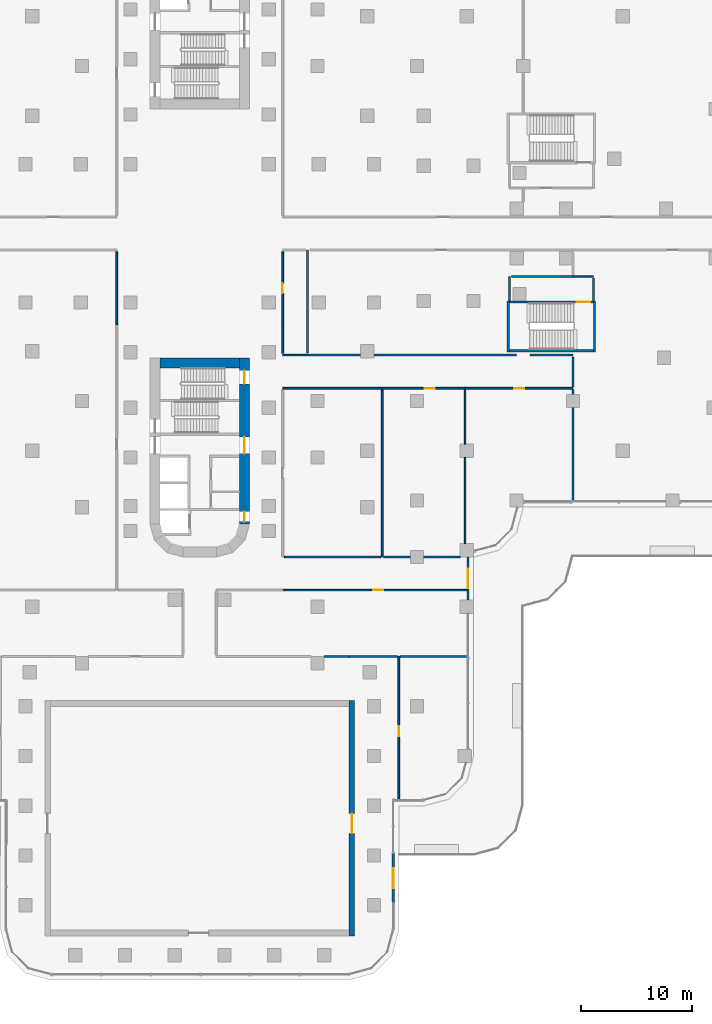
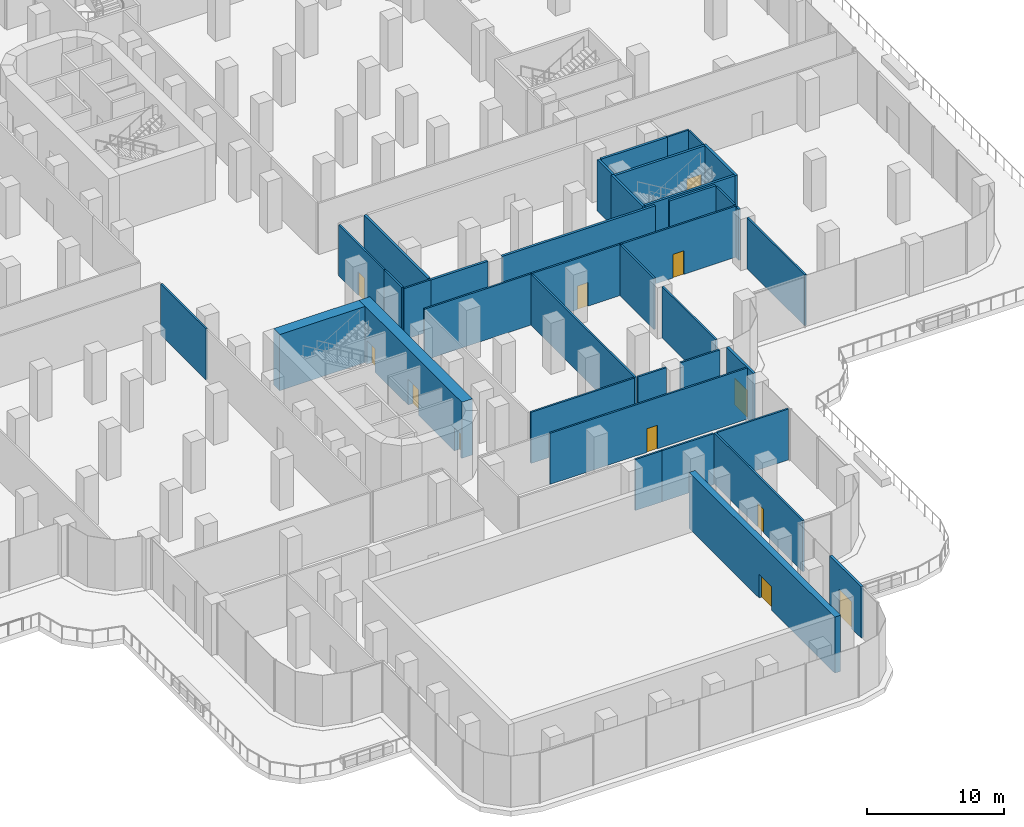
# One storey, part 18 of 30: 38 walls, 12 doors, 12 openings.
"""IFC4 building model written with IfcOpenShell, lengths in metres."""

from ifc_helpers import new_model, si_unit, direction, frame, frame_2d, origin, place, context, subcontext, project, spatial, rectangle, extrude, material, layer, layer_set, type_object, element, fill, save


model = new_model("IFC4")

# Units and contexts
model_context = context("Model", 3, precision=1e-05, world=origin(), true_north=direction((0.0, 1.0)))
body_context = subcontext(model_context, "Body", "Model", "MODEL_VIEW")
ifc_project = project(units=[si_unit("LENGTHUNIT", "METRE"), si_unit("AREAUNIT", "SQUARE_METRE"), si_unit("VOLUMEUNIT", "CUBIC_METRE"), si_unit("PLANEANGLEUNIT", "RADIAN"), si_unit("MASSUNIT", "GRAM", prefix="KILO")], contexts=[model_context])

# Site, building, storey
site_placement = place(None, origin())
site = spatial("IfcSite", under=ifc_project, at=site_placement, CompositionType="ELEMENT")
building_placement = place(site_placement, origin())
building = spatial("IfcBuilding", under=site, at=building_placement, Name="Zarbagh Exchange Tower", CompositionType="ELEMENT")
storey_placement = place(building_placement, frame((0.0, 0.0, 7.0)))
storey = spatial("IfcBuildingStorey", under=building, at=storey_placement, Name="L01", CompositionType="ELEMENT", Elevation=7.0)

# Walls
ifc_material_1 = material(Name="Plasterboard partition")
ifc_layer_1 = layer(ifc_material_1, 0.14990234375)
ifc_layer_set_1 = layer_set([ifc_layer_1], Name="Board partition 150")
wall_type_1 = type_object("IfcWallType", Name="Board partition 150", PredefinedType="PARTITIONING", material=ifc_layer_set_1)
wall_1_placement = place(storey_placement, frame((33.75, -3.89990234375, 0.0), z_axis=(0.0, 0.0, 1.0), x_axis=(1.0, 0.0, 0.0)))
element("IfcWall", 1, at=wall_1_placement, inside=storey, type_object=wall_type_1, Name="WL-L01-W016", PredefinedType="PARTITIONING", context=body_context, shape_type="SweptSolid", body=[
    extrude(rectangle(XDim=1.85009765625, YDim=0.14990234375, at=frame_2d((0.925048828125, 0.0))), origin(), (0.0, 0.0, 1.0), 4.550048828125),
])
wall_2_placement = place(storey_placement, frame((35.60009765625, -4.050048828125, 0.0), z_axis=(0.0, 0.0, 1.0), x_axis=(0.0, -1.0, 0.0)))
element("IfcWall", 2, at=wall_2_placement, inside=storey, type_object=wall_type_1, Name="WL-L01-W017", PredefinedType="PARTITIONING", context=body_context, shape_type="SweptSolid", body=[
    extrude(rectangle(XDim=2.050048828125, YDim=0.14990234375, at=frame_2d((1.02490234375, 0.0))), origin(), (0.0, 0.0, 1.0), 4.550048828125),
])

# Wall, opening, door
wall_3_placement = place(storey_placement, frame((18.0, -38.25, 0.0), z_axis=(0.0, 0.0, 1.0), x_axis=(0.0, -1.0, 0.0)))
wall_3 = element("IfcWall", 3, at=wall_3_placement, inside=storey, type_object=wall_type_1, Name="WL-L01-W023", PredefinedType="PARTITIONING", context=body_context, shape_type="SweptSolid", body=[
    extrude(rectangle(XDim=12.89990234375, YDim=0.14990234375, at=frame_2d((6.449951171875, 0.0))), origin(), (0.0, 0.0, 1.0), 4.550048828125),
])
opening_1_placement = place(wall_3_placement, frame((6.300048828125, 0.0, 0.0)))
opening_1 = element("IfcOpeningElement", 4, at=opening_1_placement, cuts=wall_3, Name="Opening D34", PredefinedType="OPENING", context=body_context, shape_type="SweptSolid", body=[
    extrude(rectangle(XDim=0.89990234375, YDim=2.10009765625, at=frame_2d((0.449951171875, 1.050048828125))), frame((0.0, 0.0849609375, 0.0), z_axis=(0.0, -1.0, 0.0), x_axis=(1.0, 0.0, 0.0)), (0.0, 0.0, 1.0), 0.169921875),
])
ifc_material_2 = material(Name="Timber door leaf", Category="wood")
door_type_1 = type_object("IfcDoorType", Name="Door single 900x2100", OperationType="SINGLE_SWING_LEFT", PredefinedType="DOOR", material=ifc_material_2)
door_1_placement = place(opening_1_placement, origin())
door_1 = element("IfcDoor", 5, at=door_1_placement, inside=storey, type_object=door_type_1, Name="D03", OperationType="SINGLE_SWING_LEFT", OverallHeight=2.10009765625, OverallWidth=0.89990234375, PredefinedType="DOOR", context=body_context, shape_type="SweptSolid", body=[
    extrude(rectangle(XDim=0.89990234375, YDim=2.10009765625, at=frame_2d((0.449951171875, 1.050048828125))), frame((0.0, 0.02490234375, 0.0), z_axis=(0.0, -1.0, 0.0), x_axis=(1.0, 0.0, 0.0)), (0.0, 0.0, 1.0), 0.050048828125),
])
fill(opening_1, door_1)

# Walls
wall_4_placement = place(storey_placement, frame((13.5, -38.25, 0.0), z_axis=(0.0, 0.0, 1.0), x_axis=(1.0, 0.0, 0.0)))
element("IfcWall", 6, at=wall_4_placement, inside=storey, type_object=wall_type_1, Name="WL-L01-W024", PredefinedType="PARTITIONING", context=body_context, shape_type="SweptSolid", body=[
    extrude(rectangle(XDim=4.35009765625, YDim=0.14990234375, at=frame_2d((2.175048828125, 0.0))), origin(), (0.0, 0.0, 1.0), 4.550048828125),
])
for number, where, z_axis, x_axis, name in (
    (7, (11.25, -38.25, 0.0), (0.0, 0.0, 1.0), (1.0, 0.0, 0.0), "WL-L01-W027"),
    (8, (7.5, -11.0, 0.0), (0.0, 0.0, 1.0), (1.0, 0.0, 0.0), "WL-L01-W033"),
):
    element("IfcWall", number, at=place(storey_placement, frame(where, z_axis=z_axis, x_axis=x_axis)), inside=storey, type_object=wall_type_1, Name=name, PredefinedType="PARTITIONING", context=body_context, shape_type="SweptSolid", body=[
        extrude(rectangle(XDim=2.25, YDim=0.14990234375, at=frame_2d((1.125, 0.0))), origin(), (0.0, 0.0, 1.0), 4.550048828125),
    ])
wall_5_placement = place(storey_placement, frame((16.5, -14.0, 0.0), z_axis=(0.0, 0.0, 1.0), x_axis=(-1.0, 0.0, 0.0)))
element("IfcWall", 9, at=wall_5_placement, inside=storey, type_object=wall_type_1, Name="WL-L01-W034", PredefinedType="PARTITIONING", context=body_context, shape_type="SweptSolid", body=[
    extrude(rectangle(XDim=9.0, YDim=0.14990234375, at=frame_2d((4.5, 0.0))), origin(), (0.0, 0.0, 1.0), 4.550048828125),
])

# Wall, opening, door
wall_6_placement = place(storey_placement, frame((24.0, -14.0, 0.0), z_axis=(0.0, 0.0, 1.0), x_axis=(-1.0, 0.0, 0.0)))
wall_6 = element("IfcWall", 10, at=wall_6_placement, inside=storey, type_object=wall_type_1, Name="WL-L01-W035", PredefinedType="PARTITIONING", context=body_context, shape_type="SweptSolid", body=[
    extrude(rectangle(XDim=7.5, YDim=0.14990234375, at=frame_2d((3.75, 0.0))), origin(), (0.0, 0.0, 1.0), 4.550048828125),
])
opening_2_placement = place(wall_6_placement, frame((2.75, 0.0, 0.0)))
opening_2 = element("IfcOpeningElement", 11, at=opening_2_placement, cuts=wall_6, Name="Opening D41", PredefinedType="OPENING", context=body_context, shape_type="SweptSolid", body=[
    extrude(rectangle(XDim=0.89990234375, YDim=2.10009765625, at=frame_2d((0.449951171875, 1.050048828125))), frame((0.0, 0.0849609375, 0.0), z_axis=(0.0, -1.0, 0.0), x_axis=(1.0, 0.0, 0.0)), (0.0, 0.0, 1.0), 0.169921875),
])
door_2_placement = place(opening_2_placement, origin())
door_2 = element("IfcDoor", 12, at=door_2_placement, inside=storey, type_object=door_type_1, Name="D05", OperationType="SINGLE_SWING_LEFT", OverallHeight=2.10009765625, OverallWidth=0.89990234375, PredefinedType="DOOR", context=body_context, shape_type="SweptSolid", body=[
    extrude(rectangle(XDim=0.89990234375, YDim=2.10009765625, at=frame_2d((0.449951171875, 1.050048828125))), frame((0.0, 0.02490234375, 0.0), z_axis=(0.0, -1.0, 0.0), x_axis=(1.0, 0.0, 0.0)), (0.0, 0.0, 1.0), 0.050048828125),
])
fill(opening_2, door_2)

wall_7_placement = place(storey_placement, frame((33.75, -14.0, 0.0), z_axis=(0.0, 0.0, 1.0), x_axis=(-1.0, 0.0, 0.0)))
wall_7 = element("IfcWall", 13, at=wall_7_placement, inside=storey, type_object=wall_type_1, Name="WL-L01-W036", PredefinedType="PARTITIONING", context=body_context, shape_type="SweptSolid", body=[
    extrude(rectangle(XDim=9.75, YDim=0.14990234375, at=frame_2d((4.875, 0.0))), origin(), (0.0, 0.0, 1.0), 4.550048828125),
])
opening_3_placement = place(wall_7_placement, frame((4.425048828125, 0.0, 0.0)))
opening_3 = element("IfcOpeningElement", 14, at=opening_3_placement, cuts=wall_7, Name="Opening D45", PredefinedType="OPENING", context=body_context, shape_type="SweptSolid", body=[
    extrude(rectangle(XDim=0.89990234375, YDim=2.10009765625, at=frame_2d((0.449951171875, 1.050048828125))), frame((0.0, 0.0849609375, 0.0), z_axis=(0.0, -1.0, 0.0), x_axis=(1.0, 0.0, 0.0)), (0.0, 0.0, 1.0), 0.169921875),
])
door_3_placement = place(opening_3_placement, origin())
door_3 = element("IfcDoor", 15, at=door_3_placement, inside=storey, type_object=door_type_1, Name="D06", OperationType="SINGLE_SWING_LEFT", OverallHeight=2.10009765625, OverallWidth=0.89990234375, PredefinedType="DOOR", context=body_context, shape_type="SweptSolid", body=[
    extrude(rectangle(XDim=0.89990234375, YDim=2.10009765625, at=frame_2d((0.449951171875, 1.050048828125))), frame((0.0, 0.02490234375, 0.0), z_axis=(0.0, -1.0, 0.0), x_axis=(1.0, 0.0, 0.0)), (0.0, 0.0, 1.0), 0.050048828125),
])
fill(opening_3, door_3)

# Walls
wall_8_placement = place(storey_placement, frame((33.75, -11.199951171875, 0.0), z_axis=(0.0, 0.0, 1.0), x_axis=(0.0, -1.0, 0.0)))
element("IfcWall", 16, at=wall_8_placement, inside=storey, type_object=wall_type_1, Name="WL-L01-W037", PredefinedType="PARTITIONING", context=body_context, shape_type="SweptSolid", body=[
    extrude(rectangle(XDim=2.650146484375, YDim=0.14990234375, at=frame_2d((1.3251953125, 0.0))), origin(), (0.0, 0.0, 1.0), 4.550048828125),
])
wall_9_placement = place(storey_placement, frame((7.5, -10.85009765625, 0.0), z_axis=(0.0, 0.0, 1.0), x_axis=(0.0, 1.0, 0.0)))
element("IfcWall", 17, at=wall_9_placement, inside=storey, type_object=wall_type_1, Name="WL-L01-W042", PredefinedType="PARTITIONING", context=body_context, shape_type="SweptSolid", body=[
    extrude(rectangle(XDim=2.60009765625, YDim=0.14990234375, at=frame_2d((1.300048828125, 0.0))), origin(), (0.0, 0.0, 1.0), 4.550048828125),
])

# Wall, opening, door
wall_10_placement = place(storey_placement, frame((7.5, -1.64990234375, 0.0), z_axis=(0.0, 0.0, 1.0), x_axis=(0.0, -1.0, 0.0)))
wall_10 = element("IfcWall", 18, at=wall_10_placement, inside=storey, type_object=wall_type_1, Name="WL-L01-W044", PredefinedType="PARTITIONING", context=body_context, shape_type="SweptSolid", body=[
    extrude(rectangle(XDim=6.60009765625, YDim=0.14990234375, at=frame_2d((3.300048828125, 0.0))), origin(), (0.0, 0.0, 1.0), 4.550048828125),
])
opening_4_placement = place(wall_10_placement, frame((2.85009765625, 0.0, 0.0)))
opening_4 = element("IfcOpeningElement", 19, at=opening_4_placement, cuts=wall_10, Name="Opening D49", PredefinedType="OPENING", context=body_context, shape_type="SweptSolid", body=[
    extrude(rectangle(XDim=0.89990234375, YDim=2.10009765625, at=frame_2d((0.449951171875, 1.050048828125))), frame((0.0, 0.0849609375, 0.0), z_axis=(0.0, -1.0, 0.0), x_axis=(1.0, 0.0, 0.0)), (0.0, 0.0, 1.0), 0.169921875),
])
door_4_placement = place(opening_4_placement, origin())
door_4 = element("IfcDoor", 20, at=door_4_placement, inside=storey, type_object=door_type_1, Name="D08", OperationType="SINGLE_SWING_LEFT", OverallHeight=2.10009765625, OverallWidth=0.89990234375, PredefinedType="DOOR", context=body_context, shape_type="SweptSolid", body=[
    extrude(rectangle(XDim=0.89990234375, YDim=2.10009765625, at=frame_2d((0.449951171875, 1.050048828125))), frame((0.0, 0.02490234375, 0.0), z_axis=(0.0, -1.0, 0.0), x_axis=(1.0, 0.0, 0.0)), (0.0, 0.0, 1.0), 0.050048828125),
])
fill(opening_4, door_4)

# Walls
wall_11_placement = place(storey_placement, frame((16.5, -14.14990234375, 0.0), z_axis=(0.0, 0.0, 1.0), x_axis=(0.0, -1.0, 0.0)))
element("IfcWall", 21, at=wall_11_placement, inside=storey, type_object=wall_type_1, Name="WL-L01-W045", PredefinedType="PARTITIONING", context=body_context, shape_type="SweptSolid", body=[
    extrude(rectangle(XDim=15.10009765625, YDim=0.14990234375, at=frame_2d((7.550048828125, 0.0))), origin(), (0.0, 0.0, 1.0), 4.550048828125),
])
wall_12_placement = place(storey_placement, frame((16.35009765625, -29.25, 0.0), z_axis=(0.0, 0.0, 1.0), x_axis=(-1.0, 0.0, 0.0)))
element("IfcWall", 22, at=wall_12_placement, inside=storey, type_object=wall_type_1, Name="WL-L01-W047", PredefinedType="PARTITIONING", context=body_context, shape_type="SweptSolid", body=[
    extrude(rectangle(XDim=8.7001953125, YDim=0.14990234375, at=frame_2d((4.35009765625, 0.0))), origin(), (0.0, 0.0, 1.0), 4.550048828125),
])
wall_13_placement = place(storey_placement, frame((24.0, -14.14990234375, 0.0), z_axis=(0.0, 0.0, 1.0), x_axis=(0.0, -1.0, 0.0)))
element("IfcWall", 23, at=wall_13_placement, inside=storey, type_object=wall_type_1, Name="WL-L01-W048", PredefinedType="PARTITIONING", context=body_context, shape_type="SweptSolid", body=[
    extrude(rectangle(XDim=4.900146484375, YDim=0.14990234375, at=frame_2d((2.4501953125, 0.0))), origin(), (0.0, 0.0, 1.0), 4.550048828125),
])
wall_14_placement = place(storey_placement, frame((24.0, -20.25, 0.0), z_axis=(0.0, 0.0, 1.0), x_axis=(0.0, -1.0, 0.0)))
element("IfcWall", 24, at=wall_14_placement, inside=storey, type_object=wall_type_1, Name="WL-L01-W049", PredefinedType="PARTITIONING", context=body_context, shape_type="SweptSolid", body=[
    extrude(rectangle(XDim=7.800048828125, YDim=0.14990234375, at=frame_2d((3.89990234375, 0.0))), origin(), (0.0, 0.0, 1.0), 4.550048828125),
])
wall_15_placement = place(storey_placement, frame((23.550048828125, -29.25, 0.0), z_axis=(0.0, 0.0, 1.0), x_axis=(-1.0, 0.0, 0.0)))
element("IfcWall", 25, at=wall_15_placement, inside=storey, type_object=wall_type_1, Name="WL-L01-W050", PredefinedType="PARTITIONING", context=body_context, shape_type="SweptSolid", body=[
    extrude(rectangle(XDim=3.300048828125, YDim=0.14990234375, at=frame_2d((1.64990234375, 0.0))), origin(), (0.0, 0.0, 1.0), 4.550048828125),
])
wall_16_placement = place(storey_placement, frame((19.050048828125, -29.25, 0.0), z_axis=(0.0, 0.0, 1.0), x_axis=(-1.0, 0.0, 0.0)))
element("IfcWall", 26, at=wall_16_placement, inside=storey, type_object=wall_type_1, Name="WL-L01-W051", PredefinedType="PARTITIONING", context=body_context, shape_type="SweptSolid", body=[
    extrude(rectangle(XDim=2.400146484375, YDim=0.14990234375, at=frame_2d((1.2001953125, 0.0))), origin(), (0.0, 0.0, 1.0), 4.550048828125),
])
wall_17_placement = place(storey_placement, frame((33.75, -14.14990234375, 0.0), z_axis=(0.0, 0.0, 1.0), x_axis=(0.0, -1.0, 0.0)))
element("IfcWall", 27, at=wall_17_placement, inside=storey, type_object=wall_type_1, Name="WL-L01-W052", PredefinedType="PARTITIONING", context=body_context, shape_type="SweptSolid", body=[
    extrude(rectangle(XDim=0.400146484375, YDim=0.14990234375, at=frame_2d((0.2001953125, 0.0))), origin(), (0.0, 0.0, 1.0), 4.550048828125),
])
wall_18_placement = place(storey_placement, frame((33.75, -15.75, 0.0), z_axis=(0.0, 0.0, 1.0), x_axis=(0.0, -1.0, 0.0)))
element("IfcWall", 28, at=wall_18_placement, inside=storey, type_object=wall_type_1, Name="WL-L01-W053", PredefinedType="PARTITIONING", context=body_context, shape_type="SweptSolid", body=[
    extrude(rectangle(XDim=8.39990234375, YDim=0.14990234375, at=frame_2d((4.199951171875, 0.0))), origin(), (0.0, 0.0, 1.0), 4.550048828125),
])
wall_19_placement = place(storey_placement, frame((18.14990234375, -38.25, 0.0), z_axis=(0.0, 0.0, 1.0), x_axis=(1.0, 0.0, 0.0)))
element("IfcWall", 29, at=wall_19_placement, inside=storey, type_object=wall_type_1, Name="WL-L01-W055", PredefinedType="PARTITIONING", context=body_context, shape_type="SweptSolid", body=[
    extrude(rectangle(XDim=6.0, YDim=0.14990234375, at=frame_2d((3.0, 0.0))), origin(), (0.0, 0.0, 1.0), 4.550048828125),
])

# Wall, opening, door
wall_20_placement = place(storey_placement, frame((24.14990234375, -32.25, 0.0), z_axis=(0.0, 0.0, 1.0), x_axis=(-1.0, 0.0, 0.0)))
wall_20 = element("IfcWall", 30, at=wall_20_placement, inside=storey, type_object=wall_type_1, Name="WL-L01-W096", PredefinedType="PARTITIONING", context=body_context, shape_type="SweptSolid", body=[
    extrude(rectangle(XDim=16.64990234375, YDim=0.14990234375, at=frame_2d((8.324951171875, 0.0))), origin(), (0.0, 0.0, 1.0), 4.550048828125),
])
opening_5_placement = place(wall_20_placement, frame((7.574951171875, 0.0, 0.0)))
opening_5 = element("IfcOpeningElement", 31, at=opening_5_placement, cuts=wall_20, Name="Opening D25", PredefinedType="OPENING", context=body_context, shape_type="SweptSolid", body=[
    extrude(rectangle(XDim=0.89990234375, YDim=2.10009765625, at=frame_2d((0.449951171875, 1.050048828125))), frame((0.0, 0.0849609375, 0.0), z_axis=(0.0, -1.0, 0.0), x_axis=(1.0, 0.0, 0.0)), (0.0, 0.0, 1.0), 0.169921875),
])
door_5_placement = place(opening_5_placement, origin())
door_5 = element("IfcDoor", 32, at=door_5_placement, inside=storey, type_object=door_type_1, Name="D25", OperationType="SINGLE_SWING_LEFT", OverallHeight=2.10009765625, OverallWidth=0.89990234375, PredefinedType="DOOR", context=body_context, shape_type="SweptSolid", body=[
    extrude(rectangle(XDim=0.89990234375, YDim=2.10009765625, at=frame_2d((0.449951171875, 1.050048828125))), frame((0.0, 0.02490234375, 0.0), z_axis=(0.0, -1.0, 0.0), x_axis=(1.0, 0.0, 0.0)), (0.0, 0.0, 1.0), 0.050048828125),
])
fill(opening_5, door_5)

# Walls
wall_21_placement = place(storey_placement, frame((-7.5, -1.64990234375, 0.0), z_axis=(0.0, 0.0, 1.0), x_axis=(0.0, -1.0, 0.0)))
element("IfcWall", 33, at=wall_21_placement, inside=storey, type_object=wall_type_1, Name="WL-L01-W099", PredefinedType="PARTITIONING", context=body_context, shape_type="SweptSolid", body=[
    extrude(rectangle(XDim=6.60009765625, YDim=0.14990234375, at=frame_2d((3.300048828125, 0.0))), origin(), (0.0, 0.0, 1.0), 4.550048828125),
])
ifc_material_3 = material(Name="Concrete block partition", Category="concrete")
ifc_layer_2 = layer(ifc_material_3, 0.199951171875)
ifc_layer_set_2 = layer_set([ifc_layer_2], Name="Fire-rated block partition 200 EI 60")
wall_type_2 = type_object("IfcWallType", Name="Fire-rated block partition 200 EI 60", PredefinedType="PARTITIONING", material=ifc_layer_set_2)
wall_22_placement = place(storey_placement, frame((28.0, -6.10009765625, 0.0), z_axis=(0.0, 0.0, 1.0), x_axis=(0.0, 1.0, 0.0)))
element("IfcWall", 34, at=wall_22_placement, inside=storey, type_object=wall_type_2, Name="WL-L01-W014", PredefinedType="PARTITIONING", context=body_context, shape_type="SweptSolid", body=[
    extrude(rectangle(XDim=2.2001953125, YDim=0.199951171875, at=frame_2d((1.10009765625, 0.0))), origin(), (0.0, 0.0, 1.0), 4.550048828125),
])
wall_23_placement = place(storey_placement, frame((28.199951171875, -3.89990234375, 0.0), z_axis=(0.0, 0.0, 1.0), x_axis=(1.0, 0.0, 0.0)))
element("IfcWall", 35, at=wall_23_placement, inside=storey, type_object=wall_type_2, Name="WL-L01-W015", PredefinedType="PARTITIONING", context=body_context, shape_type="SweptSolid", body=[
    extrude(rectangle(XDim=5.550048828125, YDim=0.199951171875, at=frame_2d((2.77490234375, 0.0))), origin(), (0.0, 0.0, 1.0), 4.550048828125),
])
wall_24_placement = place(storey_placement, frame((9.75, -11.0, 0.0), z_axis=(0.0, 0.0, 1.0), x_axis=(1.0, 0.0, 0.0)))
element("IfcWall", 36, at=wall_24_placement, inside=storey, type_object=wall_type_2, Name="WL-L01-W030", PredefinedType="PARTITIONING", context=body_context, shape_type="SweptSolid", body=[
    extrude(rectangle(XDim=4.800048828125, YDim=0.199951171875, at=frame_2d((2.39990234375, 0.0))), origin(), (0.0, 0.0, 1.0), 4.550048828125),
])
wall_25_placement = place(storey_placement, frame((15.75, -11.0, 0.0), z_axis=(0.0, 0.0, 1.0), x_axis=(1.0, 0.0, 0.0)))
element("IfcWall", 37, at=wall_25_placement, inside=storey, type_object=wall_type_2, Name="WL-L01-W031", PredefinedType="PARTITIONING", context=body_context, shape_type="SweptSolid", body=[
    extrude(rectangle(XDim=12.89990234375, YDim=0.199951171875, at=frame_2d((6.449951171875, 0.0))), origin(), (0.0, 0.0, 1.0), 4.550048828125),
])
wall_26_placement = place(storey_placement, frame((29.85009765625, -11.0, 0.0), z_axis=(0.0, 0.0, 1.0), x_axis=(1.0, 0.0, 0.0)))
element("IfcWall", 38, at=wall_26_placement, inside=storey, type_object=wall_type_2, Name="WL-L01-W032", PredefinedType="PARTITIONING", context=body_context, shape_type="SweptSolid", body=[
    extrude(rectangle(XDim=3.89990234375, YDim=0.199951171875, at=frame_2d((1.949951171875, 0.0))), origin(), (0.0, 0.0, 1.0), 4.550048828125),
])
wall_27_placement = place(storey_placement, frame((9.75, -10.800048828125, 0.0), z_axis=(0.0, 0.0, 1.0), x_axis=(0.0, 1.0, 0.0)))
element("IfcWall", 39, at=wall_27_placement, inside=storey, type_object=wall_type_2, Name="WL-L01-W038", PredefinedType="PARTITIONING", context=body_context, shape_type="SweptSolid", body=[
    extrude(rectangle(XDim=9.300048828125, YDim=0.199951171875, at=frame_2d((4.64990234375, 0.0))), origin(), (0.0, 0.0, 1.0), 4.550048828125),
])

# Wall, openings, doors
ifc_material_4 = material(Name="Concrete C60/75", Category="concrete")
ifc_layer_3 = layer(ifc_material_4, 0.89990234375)
ifc_layer_set_3 = layer_set([ifc_layer_3], Name="RC core wall 900 C60/75")
wall_type_3 = type_object("IfcWallType", Name="RC core wall 900 C60/75", PredefinedType="SHEAR", material=ifc_layer_set_3)
wall_28_placement = place(storey_placement, frame((4.050048828125, -11.25, 0.0), z_axis=(0.0, 0.0, 1.0), x_axis=(0.0, -1.0, 0.0)))
wall_28 = element("IfcWall", 40, at=wall_28_placement, inside=storey, type_object=wall_type_3, Name="CW1 core S E", PredefinedType="SHEAR", context=body_context, shape_type="SweptSolid", body=[
    extrude(rectangle(XDim=15.0, YDim=0.89990234375, at=frame_2d((7.5, 0.0))), origin(), (0.0, 0.0, 1.0), 5.0),
])
opening_6_placement = place(wall_28_placement, frame((7.14990234375, 0.0, 0.0)))
opening_6 = element("IfcOpeningElement", 41, at=opening_6_placement, cuts=wall_28, Name="Opening CD1-1500", PredefinedType="OPENING", context=body_context, shape_type="SweptSolid", body=[
    extrude(rectangle(XDim=1.5, YDim=2.300048828125, at=frame_2d((0.75, 1.14990234375))), frame((0.0, 0.4599609375, 0.0), z_axis=(0.0, -1.0, 0.0), x_axis=(1.0, 0.0, 0.0)), (0.0, 0.0, 1.0), 0.919921875),
])
opening_7_placement = place(wall_28_placement, frame((13.89990234375, 0.0, 0.0)))
opening_7 = element("IfcOpeningElement", 42, at=opening_7_placement, cuts=wall_28, Name="Opening CD2-900", PredefinedType="OPENING", context=body_context, shape_type="SweptSolid", body=[
    extrude(rectangle(XDim=0.89990234375, YDim=2.10009765625, at=frame_2d((0.449951171875, 1.050048828125))), frame((0.0, 0.4599609375, 0.0), z_axis=(0.0, -1.0, 0.0), x_axis=(1.0, 0.0, 0.0)), (0.0, 0.0, 1.0), 0.919921875),
])
opening_8_placement = place(wall_28_placement, frame((1.14990234375, 0.0, 0.0)))
opening_8 = element("IfcOpeningElement", 43, at=opening_8_placement, cuts=wall_28, Name="Opening SD1-1200", PredefinedType="OPENING", context=body_context, shape_type="SweptSolid", body=[
    extrude(rectangle(XDim=1.199951171875, YDim=2.10009765625, at=frame_2d((0.60009765625, 1.050048828125))), frame((0.0, 0.4599609375, 0.0), z_axis=(0.0, -1.0, 0.0), x_axis=(1.0, 0.0, 0.0)), (0.0, 0.0, 1.0), 0.919921875),
])
ifc_material_5 = material(Name="Steel", Category="steel")
door_type_2 = type_object("IfcDoorType", Name="Exit stair door 1200 x 2100", OperationType="NOTDEFINED", PredefinedType="DOOR", material=ifc_material_5)
door_6_placement = place(opening_8_placement, origin())
door_6 = element("IfcDoor", 44, at=door_6_placement, inside=storey, type_object=door_type_2, Name="South core stair door ST2", OperationType="SINGLE_SWING_RIGHT", OverallHeight=2.10009765625, OverallWidth=1.199951171875, PredefinedType="DOOR", context=body_context, shape_type="SweptSolid", body=[
    extrude(rectangle(XDim=1.199951171875, YDim=2.10009765625, at=frame_2d((0.60009765625, 1.050048828125))), frame((0.0, 0.02490234375, 0.0), z_axis=(0.0, -1.0, 0.0), x_axis=(1.0, 0.0, 0.0)), (0.0, 0.0, 1.0), 0.050048828125),
])
fill(opening_8, door_6)
door_type_3 = type_object("IfcDoorType", Name="Firefighting lobby door 900 x 2100", OperationType="NOTDEFINED", PredefinedType="DOOR", material=ifc_material_5)
door_7_placement = place(opening_7_placement, origin())
door_7 = element("IfcDoor", 45, at=door_7_placement, inside=storey, type_object=door_type_3, Name="South core firefighting lobby door FF-W", OperationType="SINGLE_SWING_LEFT", OverallHeight=2.10009765625, OverallWidth=0.89990234375, PredefinedType="DOOR", context=body_context, shape_type="SweptSolid", body=[
    extrude(rectangle(XDim=0.89990234375, YDim=2.10009765625, at=frame_2d((0.449951171875, 1.050048828125))), frame((0.0, 0.02490234375, 0.0), z_axis=(0.0, -1.0, 0.0), x_axis=(1.0, 0.0, 0.0)), (0.0, 0.0, 1.0), 0.050048828125),
])
fill(opening_7, door_7)
door_type_4 = type_object("IfcDoorType", Name="Lift lobby double door 1500 x 2300", OperationType="NOTDEFINED", PredefinedType="DOOR", material=ifc_material_5)
door_8_placement = place(opening_6_placement, origin())
door_8 = element("IfcDoor", 46, at=door_8_placement, inside=storey, type_object=door_type_4, Name="South core lift lobby door LOBBY-W", OperationType="DOUBLE_DOOR_SINGLE_SWING", OverallHeight=2.300048828125, OverallWidth=1.5, PredefinedType="DOOR", context=body_context, shape_type="SweptSolid", body=[
    extrude(rectangle(XDim=1.5, YDim=2.300048828125, at=frame_2d((0.75, 1.14990234375))), frame((0.0, 0.02490234375, 0.0), z_axis=(0.0, -1.0, 0.0), x_axis=(1.0, 0.0, 0.0)), (0.0, 0.0, 1.0), 0.050048828125),
])
fill(opening_6, door_8)

# Wall
wall_29_placement = place(storey_placement, frame((-3.60009765625, -11.699951171875, 0.0), z_axis=(0.0, 0.0, 1.0), x_axis=(1.0, 0.0, 0.0)))
element("IfcWall", 47, at=wall_29_placement, inside=storey, type_object=wall_type_3, Name="CW1 core S inner end", PredefinedType="SHEAR", context=body_context, shape_type="SweptSolid", body=[
    extrude(rectangle(XDim=7.2001953125, YDim=0.89990234375, at=frame_2d((3.60009765625, 0.0))), origin(), (0.0, 0.0, 1.0), 5.0),
])

# Wall, opening, door
ifc_material_6 = material(Name="Concrete C50/60", Category="concrete")
ifc_layer_4 = layer(ifc_material_6, 0.5)
ifc_layer_set_4 = layer_set([ifc_layer_4], Name="RC hall wall 500 C50/60")
wall_type_4 = type_object("IfcWallType", Name="RC hall wall 500 C50/60", PredefinedType="SOLIDWALL", material=ifc_layer_set_4)
wall_30_placement = place(storey_placement, frame((13.75, -63.5, 0.0), z_axis=(0.0, 0.0, 1.0), x_axis=(0.0, 1.0, 0.0)))
wall_30 = element("IfcWall", 48, at=wall_30_placement, inside=storey, type_object=wall_type_4, Name="CW11 hall", PredefinedType="SOLIDWALL", context=body_context, shape_type="SweptSolid", body=[
    extrude(rectangle(XDim=21.25, YDim=0.5, at=frame_2d((10.625, 0.0))), origin(), (0.0, 0.0, 1.0), 5.0),
])
opening_9_placement = place(wall_30_placement, frame((9.25, 0.0, 0.0)))
opening_9 = element("IfcOpeningElement", 49, at=opening_9_placement, cuts=wall_30, Name="Opening DH02", PredefinedType="OPENING", context=body_context, shape_type="SweptSolid", body=[
    extrude(rectangle(XDim=1.800048828125, YDim=2.10009765625, at=frame_2d((0.89990234375, 1.050048828125))), frame((0.0, 0.260009765625, 0.0), z_axis=(0.0, -1.0, 0.0), x_axis=(1.0, 0.0, 0.0)), (0.0, 0.0, 1.0), 0.52001953125),
])
ifc_material_7 = material(Name="Steel door set", Category="steel")
door_type_5 = type_object("IfcDoorType", Name="Door pair 1800x2100 EI 60", OperationType="DOUBLE_DOOR_DOUBLE_SWING", PredefinedType="DOOR", material=ifc_material_7)
door_9_placement = place(opening_9_placement, origin())
door_9 = element("IfcDoor", 50, at=door_9_placement, inside=storey, type_object=door_type_5, Name="DH02", OperationType="DOUBLE_DOOR_DOUBLE_SWING", OverallHeight=2.10009765625, OverallWidth=1.800048828125, PredefinedType="DOOR", context=body_context, shape_type="SweptSolid", body=[
    extrude(rectangle(XDim=1.800048828125, YDim=2.10009765625, at=frame_2d((0.89990234375, 1.050048828125))), frame((0.0, 0.02490234375, 0.0), z_axis=(0.0, -1.0, 0.0), x_axis=(1.0, 0.0, 0.0)), (0.0, 0.0, 1.0), 0.050048828125),
])
fill(opening_9, door_9)

# Walls
ifc_material_8 = material(Name="Concrete C40/50", Category="concrete")
ifc_layer_5 = layer(ifc_material_8, 0.199951171875)
ifc_layer_set_5 = layer_set([ifc_layer_5], Name="Stair enclosure wall 200 mm RC C40/50")
wall_type_5 = type_object("IfcWallType", Name="Stair enclosure wall 200 mm RC C40/50", PredefinedType="SHEAR", material=ifc_layer_set_5)
for number, where, z_axis, x_axis, name in (
    (51, (27.89990234375, -10.699951171875, 0.0), (0.0, 0.0, 1.0), (0.0, 1.0, 0.0), "Exit stair PS6 enclosure wall W"),
    (52, (35.699951171875, -10.699951171875, 0.0), (0.0, 0.0, 1.0), (0.0, 1.0, 0.0), "Exit stair PS6 enclosure wall E"),
):
    element("IfcWall", number, at=place(storey_placement, frame(where, z_axis=z_axis, x_axis=x_axis)), inside=storey, type_object=wall_type_5, Name=name, PredefinedType="SHEAR", context=body_context, shape_type="SweptSolid", body=[
        extrude(rectangle(XDim=4.599853515625, YDim=0.199951171875, at=frame_2d((2.2998046875, 0.0))), origin(), (0.0, 0.0, 1.0), 4.550048828125),
    ])
wall_31_placement = place(storey_placement, frame((28.0, -10.60009765625, 0.0), z_axis=(0.0, 0.0, 1.0), x_axis=(1.0, 0.0, 0.0)))
element("IfcWall", 53, at=wall_31_placement, inside=storey, type_object=wall_type_5, Name="Exit stair PS6 enclosure wall S", PredefinedType="SHEAR", context=body_context, shape_type="SweptSolid", body=[
    extrude(rectangle(XDim=7.60009765625, YDim=0.199951171875, at=frame_2d((3.800048828125, 0.0))), origin(), (0.0, 0.0, 1.0), 4.550048828125),
])

# Wall, opening, door
wall_32_placement = place(storey_placement, frame((28.0, -6.199951171875, 0.0), z_axis=(0.0, 0.0, 1.0), x_axis=(1.0, 0.0, 0.0)))
wall_32 = element("IfcWall", 54, at=wall_32_placement, inside=storey, type_object=wall_type_5, Name="Exit stair PS6 enclosure wall N", PredefinedType="SHEAR", context=body_context, shape_type="SweptSolid", body=[
    extrude(rectangle(XDim=7.60009765625, YDim=0.199951171875, at=frame_2d((3.800048828125, 0.0))), origin(), (0.0, 0.0, 1.0), 4.550048828125),
])
opening_10_placement = place(wall_32_placement, frame((6.10009765625, 0.0, 0.0)))
opening_10 = element("IfcOpeningElement", 55, at=opening_10_placement, cuts=wall_32, Name="Opening SD1-1200", PredefinedType="OPENING", context=body_context, shape_type="SweptSolid", body=[
    extrude(rectangle(XDim=1.199951171875, YDim=2.10009765625, at=frame_2d((0.60009765625, 1.050048828125))), frame((0.0, 0.10986328125, 0.0), z_axis=(0.0, -1.0, 0.0), x_axis=(1.0, 0.0, 0.0)), (0.0, 0.0, 1.0), 0.219970703125),
])
door_10_placement = place(opening_10_placement, origin())
door_10 = element("IfcDoor", 56, at=door_10_placement, inside=storey, type_object=door_type_2, Name="Exit stair PS6 entry door", OperationType="SINGLE_SWING_RIGHT", OverallHeight=2.10009765625, OverallWidth=1.199951171875, PredefinedType="DOOR", context=body_context, shape_type="SweptSolid", body=[
    extrude(rectangle(XDim=1.199951171875, YDim=2.10009765625, at=frame_2d((0.60009765625, 1.050048828125))), frame((0.0, 0.02490234375, 0.0), z_axis=(0.0, -1.0, 0.0), x_axis=(1.0, 0.0, 0.0)), (0.0, 0.0, 1.0), 0.050048828125),
])
fill(opening_10, door_10)

ifc_material_9 = material(Name="Precast concrete C50/60", Category="concrete")
ifc_layer_6 = layer(ifc_material_9, 0.199951171875)
ifc_layer_set_6 = layer_set([ifc_layer_6], Name="Terrace door wall, precast concrete C50/60")
wall_type_6 = type_object("IfcWallType", Name="Terrace door wall, precast concrete C50/60", PredefinedType="SOLIDWALL", material=ifc_layer_set_6)
wall_33_placement = place(storey_placement, frame((17.5, -60.58203125, 0.0), z_axis=(0.0, 0.0, 1.0), x_axis=(0.0, 1.0, 0.0)))
wall_33 = element("IfcWall", 57, at=wall_33_placement, inside=storey, type_object=wall_type_6, Name="TW01 door wall", PredefinedType="SOLIDWALL", context=body_context, shape_type="SweptSolid", body=[
    extrude(rectangle(XDim=4.580078125, YDim=0.199951171875, at=frame_2d((2.2900390625, 0.0))), origin(), (0.0, 0.0, 1.0), 4.550048828125),
])
opening_11_placement = place(wall_33_placement, frame((1.389892578125, 0.0, 0.0)))
opening_11 = element("IfcOpeningElement", 58, at=opening_11_placement, cuts=wall_33, Name="Opening TD03", PredefinedType="OPENING", context=body_context, shape_type="SweptSolid", body=[
    extrude(rectangle(XDim=1.800048828125, YDim=2.39990234375, at=frame_2d((0.89990234375, 1.199951171875))), frame((0.0, 0.10986328125, 0.0), z_axis=(0.0, -1.0, 0.0), x_axis=(1.0, 0.0, 0.0)), (0.0, 0.0, 1.0), 0.219970703125),
])
ifc_material_10 = material(Name="Anodised aluminium and glass", Category="aluminium")
door_type_6 = type_object("IfcDoorType", Name="Terrace door, double leaf, aluminium and glass", OperationType="DOUBLE_DOOR_DOUBLE_SWING", PredefinedType="DOOR", material=ifc_material_10)
door_11_placement = place(opening_11_placement, origin())
door_11 = element("IfcDoor", 59, at=door_11_placement, inside=storey, type_object=door_type_6, Name="TD03 terrace door", OperationType="SINGLE_SWING_LEFT", OverallHeight=2.39990234375, OverallWidth=1.800048828125, PredefinedType="DOOR", context=body_context, shape_type="SweptSolid", body=[
    extrude(rectangle(XDim=1.800048828125, YDim=2.39990234375, at=frame_2d((0.89990234375, 1.199951171875))), frame((0.0, 0.02490234375, 0.0), z_axis=(0.0, -1.0, 0.0), x_axis=(1.0, 0.0, 0.0)), (0.0, 0.0, 1.0), 0.050048828125),
])
fill(opening_11, door_11)

wall_34_placement = place(storey_placement, frame((24.25, -33.14990234375, 0.0), z_axis=(0.0, 0.0, 1.0), x_axis=(0.0, 1.0, 0.0)))
wall_34 = element("IfcWall", 60, at=wall_34_placement, inside=storey, type_object=wall_type_6, Name="TW02 door wall", PredefinedType="SOLIDWALL", context=body_context, shape_type="SweptSolid", body=[
    extrude(rectangle(XDim=3.89990234375, YDim=0.199951171875, at=frame_2d((1.949951171875, 0.0))), origin(), (0.0, 0.0, 1.0), 4.550048828125),
])
opening_12_placement = place(wall_34_placement, frame((1.050048828125, 0.0, 0.0)))
opening_12 = element("IfcOpeningElement", 61, at=opening_12_placement, cuts=wall_34, Name="Opening TD03", PredefinedType="OPENING", context=body_context, shape_type="SweptSolid", body=[
    extrude(rectangle(XDim=1.800048828125, YDim=2.39990234375, at=frame_2d((0.89990234375, 1.199951171875))), frame((0.0, 0.10986328125, 0.0), z_axis=(0.0, -1.0, 0.0), x_axis=(1.0, 0.0, 0.0)), (0.0, 0.0, 1.0), 0.219970703125),
])
door_12_placement = place(opening_12_placement, origin())
door_12 = element("IfcDoor", 62, at=door_12_placement, inside=storey, type_object=door_type_6, Name="TD03 terrace door", OperationType="SINGLE_SWING_LEFT", OverallHeight=2.39990234375, OverallWidth=1.800048828125, PredefinedType="DOOR", context=body_context, shape_type="SweptSolid", body=[
    extrude(rectangle(XDim=1.800048828125, YDim=2.39990234375, at=frame_2d((0.89990234375, 1.199951171875))), frame((0.0, 0.02490234375, 0.0), z_axis=(0.0, -1.0, 0.0), x_axis=(1.0, 0.0, 0.0)), (0.0, 0.0, 1.0), 0.050048828125),
])
fill(opening_12, door_12)

save(model, "model.ifc")
